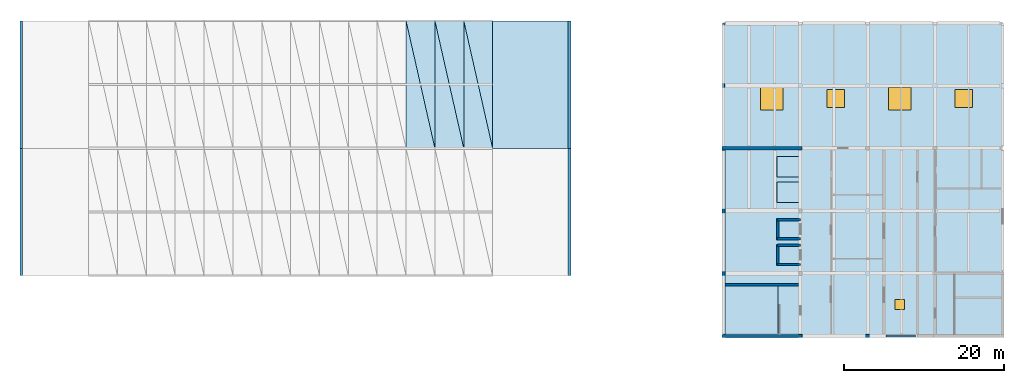
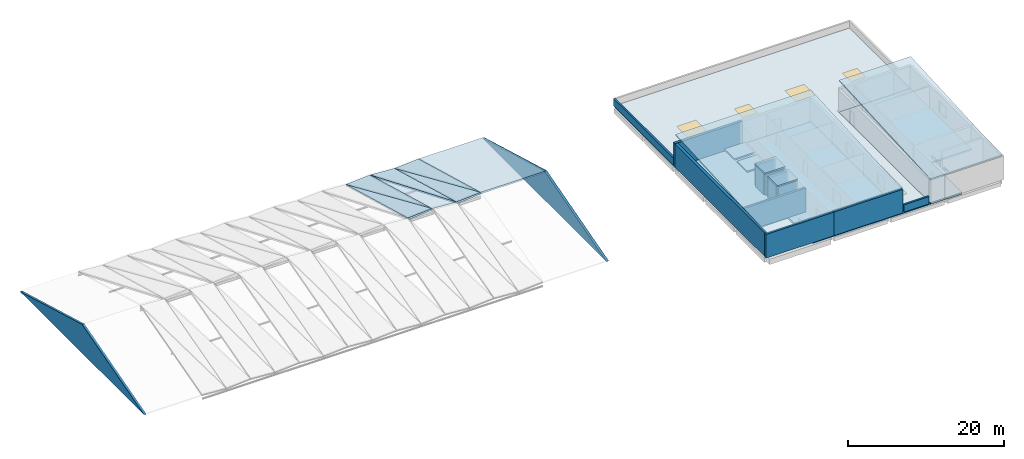
# One storey, part 3 of 6: 16 slabs, 15 walls, 4 windows, 1 door, 5 openings.
"""IFC4 building model written with IfcOpenShell, lengths in metres."""

from ifc_helpers import new_model, si_unit, direction, frame, frame_2d, origin, origin_2d, place, context, subcontext, project, spatial, polyline, rectangle, outline, extrude, material, layer, layer_set, type_object, element, fill, save


model = new_model("IFC4")

# Units and contexts
model_context = context("Model", 3, precision=1e-05, world=origin(), true_north=direction((0.0, 1.0)))
body_context = subcontext(model_context, "Body", "Model", "MODEL_VIEW")
ifc_project = project(units=[si_unit("LENGTHUNIT", "METRE"), si_unit("AREAUNIT", "SQUARE_METRE"), si_unit("VOLUMEUNIT", "CUBIC_METRE"), si_unit("PLANEANGLEUNIT", "RADIAN"), si_unit("MASSUNIT", "GRAM", prefix="KILO")], contexts=[model_context])

# Site, building, storey
site_placement = place(None, origin())
site = spatial("IfcSite", under=ifc_project, at=site_placement, CompositionType="ELEMENT")
building_placement = place(site_placement, origin())
building = spatial("IfcBuilding", under=site, at=building_placement, Name="Pellamere Symphony Hall", CompositionType="ELEMENT")
storey_placement = place(building_placement, frame((0.0, 0.0, 28.5)))
storey = spatial("IfcBuildingStorey", under=building, at=storey_placement, Name="RF", CompositionType="ELEMENT", Elevation=28.5)

# Slabs
ifc_material_1 = material(Name="Concrete 40 MPa", Category="concrete")
ifc_layer_1 = layer(ifc_material_1, 0.260009765625, Name="Concrete 40 MPa")
ifc_layer_set_1 = layer_set([ifc_layer_1], Name="Concrete 40 MPa")
slab_type_1 = type_object("IfcSlabType", Name="Structural Slab FS-04 260mm", PredefinedType="FLOOR", material=ifc_layer_set_1)
slab_1_placement = place(storey_placement, frame((0.0, 0.0, -0.260009765625)))
element("IfcSlab", 1, at=slab_1_placement, inside=storey, type_object=slab_type_1, Name="Floor Slab RF-HD1-1", PredefinedType="FLOOR", context=body_context, shape_type="SweptSolid", body=[
    extrude(outline(polyline([(138.0, 61.800048828125), (158.0, 61.800048828125), (158.0, 38.39990234375), (144.77490234375, 38.39990234375), (144.77490234375, 44.800048828125), (138.0, 44.800048828125), (138.0, 61.800048828125)]), holes=[polyline([(144.75, 47.300048828125), (147.60009765625, 47.300048828125), (147.60009765625, 49.699951171875), (144.75, 49.699951171875), (144.75, 47.300048828125)]), polyline([(144.75, 50.5), (147.60009765625, 50.5), (147.60009765625, 52.89990234375), (144.75, 52.89990234375), (144.75, 50.5)])]), origin(), (0.0, 0.0, 1.0), 0.260009765625),
])
slab_2_placement = place(storey_placement, frame((0.0, 0.0, -0.260009765625)))
element("IfcSlab", 2, at=slab_2_placement, inside=storey, type_object=slab_type_1, Name="Floor Slab RF-HD2-1", PredefinedType="FLOOR", context=body_context, shape_type="SweptSolid", body=[
    extrude(outline(polyline([(162.199951171875, 38.39990234375), (162.199951171875, 61.800048828125), (172.800048828125, 61.800048828125), (172.800048828125, 46.199951171875), (166.875, 46.199951171875), (166.875, 38.39990234375), (162.199951171875, 38.39990234375)])), origin(), (0.0, 0.0, 1.0), 0.260009765625),
])
ifc_material_2 = material(Name="Concrete 35 MPa", Category="concrete")
ifc_layer_2 = layer(ifc_material_2, 0.239990234375, Name="Concrete 35 MPa")
ifc_layer_set_2 = layer_set([ifc_layer_2], Name="Concrete 35 MPa")
slab_type_2 = type_object("IfcSlabType", Name="Structural Slab FS-05 240mm", PredefinedType="FLOOR", material=ifc_layer_set_2)
slab_3_placement = place(storey_placement, frame((0.0, 0.0, 3.260009765625)))
element("IfcSlab", 3, at=slab_3_placement, inside=storey, type_object=slab_type_2, Name="Elevator FFL1 Hoistway Overrun Cap Slab", PredefinedType="FLOOR", context=body_context, shape_type="SweptSolid", body=[
    extrude(outline(polyline([(144.6298828125, 47.179931640625), (147.719970703125, 47.179931640625), (147.719970703125, 49.820068359375), (144.6298828125, 49.820068359375), (144.6298828125, 47.179931640625)])), origin(), (0.0, 0.0, 1.0), 0.239990234375),
])
slab_4_placement = place(storey_placement, frame((0.0, 0.0, 3.260009765625)))
element("IfcSlab", 4, at=slab_4_placement, inside=storey, type_object=slab_type_2, Name="Elevator FFL2 Hoistway Overrun Cap Slab", PredefinedType="FLOOR", context=body_context, shape_type="SweptSolid", body=[
    extrude(outline(polyline([(144.6298828125, 50.3798828125), (147.719970703125, 50.3798828125), (147.719970703125, 53.02001953125), (144.6298828125, 53.02001953125), (144.6298828125, 50.3798828125)])), origin(), (0.0, 0.0, 1.0), 0.239990234375),
])
ifc_material_3 = material(Name="Precast concrete 40 MPa", Category="concrete")
ifc_layer_3 = layer(ifc_material_3, 0.239990234375, Name="Precast concrete 40 MPa")
ifc_layer_set_3 = layer_set([ifc_layer_3], Name="Precast concrete 40 MPa")
slab_type_3 = type_object("IfcSlabType", Name="Structural Slab RS-01 240mm", PredefinedType="ROOF", material=ifc_layer_set_3)
slab_5_placement = place(storey_placement, frame((98.39990234375, 61.800048828125, 5.760009765625), z_axis=(-0.064135768117, 0.26504111716, 0.962101766687), x_axis=(0.997785457248, 0.0, 0.066514519495)))
element("IfcSlab", 5, at=slab_5_placement, inside=storey, type_object=slab_type_3, Name="Crown Folded-Plate Ridge Roof Bay 6 Facet 11", PredefinedType="ROOF", context=body_context, shape_type="SweptSolid", body=[
    extrude(outline(polyline([(0.0, 0.0), (3.608087921203156, 0.0), (-0.29134203961476457, 16.489618748844133), (0.0, 0.0)])), origin(), (0.0, 0.0, -1.0), 0.239990234375),
])
slab_6_placement = place(storey_placement, frame((102.0, 61.800048828125, 6.0), z_axis=(-0.064200995629, 0.265026272319, 0.962101505633), x_axis=(0.0, 0.964090435702, -0.265574154969)))
element("IfcSlab", 6, at=slab_6_placement, inside=storey, type_object=slab_type_3, Name="Crown Folded-Plate Ridge Roof Bay 6 Facet 12", PredefinedType="ROOF", context=body_context, shape_type="SweptSolid", body=[
    extrude(outline(polyline([(0.0, 0.0), (16.492127455001665, -5.551115123125783e-17), (16.55592749613675, 3.60754005441652), (0.0, 0.0)])), origin(), (0.0, 0.0, -1.0), 0.239990234375),
])
slab_7_placement = place(storey_placement, frame((102.0, 61.800048828125, 6.0), z_axis=(0.064136019231, 0.265027381901, 0.96210553365), x_axis=(0.997785457248, 0.0, -0.066514519495)))
element("IfcSlab", 7, at=slab_7_placement, inside=storey, type_object=slab_type_3, Name="Crown Folded-Plate Ridge Roof Bay 7 Facet 9", PredefinedType="ROOF", context=body_context, shape_type="SweptSolid", body=[
    extrude(outline(polyline([(0.0, 0.0), (3.608087921203156, 0.0), (0.29132580071840347, 16.48955418651018), (0.0, 0.0)])), origin(), (0.0, 0.0, -1.0), 0.239990234375),
])
slab_8_placement = place(storey_placement, frame((105.60009765625, 61.800048828125, 5.760009765625), z_axis=(0.064200744263, 0.265040007529, 0.962097738717), x_axis=(0.0, 0.964086645377, -0.265587914269)))
element("IfcSlab", 8, at=slab_8_placement, inside=storey, type_object=slab_type_3, Name="Crown Folded-Plate Ridge Roof Bay 7 Facet 10", PredefinedType="ROOF", context=body_context, shape_type="SweptSolid", body=[
    extrude(outline(polyline([(0.0, 0.0), (16.49219229412145, 5.551115123125783e-17), (16.428388947529395, 3.6075399959573615), (0.0, 0.0)])), origin(), (0.0, 0.0, -1.0), 0.239990234375),
])
slab_9_placement = place(storey_placement, frame((105.60009765625, 61.800048828125, 5.760009765625), z_axis=(-0.064140099885, 0.265041043219, 0.962101498282), x_axis=(0.997785157857, 0.0, 0.066519010524)))
element("IfcSlab", 9, at=slab_9_placement, inside=storey, type_object=slab_type_3, Name="Crown Folded-Plate Ridge Roof Bay 7 Facet 11", PredefinedType="ROOF", context=body_context, shape_type="SweptSolid", body=[
    extrude(outline(polyline([(0.0, 0.0), (3.6078443212745532, 0.0), (-0.2913617108903877, 16.48961840127618), (0.0, 0.0)])), origin(), (0.0, 0.0, -1.0), 0.239990234375),
])
slab_10_placement = place(storey_placement, frame((109.199951171875, 61.800048828125, 6.0), z_axis=(-0.064205331766, 0.265026198232, 0.962101236681), x_axis=(0.0, 0.964090435702, -0.265574154969)))
element("IfcSlab", 10, at=slab_10_placement, inside=storey, type_object=slab_type_3, Name="Crown Folded-Plate Ridge Roof Bay 7 Facet 12", PredefinedType="ROOF", context=body_context, shape_type="SweptSolid", body=[
    extrude(outline(polyline([(0.0, 0.0), (16.492127455001665, -5.551115123125783e-17), (16.55592749613675, 3.6072964174905944), (0.0, 0.0)])), origin(), (0.0, 0.0, -1.0), 0.239990234375),
])
ifc_layer_4 = layer(ifc_material_3, 0.219970703125, Name="Precast concrete 40 MPa")
ifc_layer_set_4 = layer_set([ifc_layer_4], Name="Precast concrete 40 MPa")
slab_type_4 = type_object("IfcSlabType", Name="Structural Slab RS-02 220mm", PredefinedType="ROOF", material=ifc_layer_set_4)
slab_11_placement = place(storey_placement, frame((109.199951171875, 61.800048828125, 6.0), z_axis=(0.0, 0.265574154969, 0.964090435702), x_axis=(1.0, 0.0, 0.0)))
element("IfcSlab", 11, at=slab_11_placement, inside=storey, type_object=slab_type_4, Name="Crown Crystal Foyer Sloped Roof E-NU", PredefinedType="ROOF", context=body_context, shape_type="SweptSolid", body=[
    extrude(outline(polyline([(0.0, 0.0), (9.60009765625, 0.0), (9.60009765625, 16.492127455001665), (0.0, 16.492127455001665), (0.0, 0.0)])), origin(), (0.0, 0.0, -1.0), 0.219970703125),
])
ifc_layer_5 = layer(ifc_material_3, 0.199951171875, Name="Precast concrete 40 MPa")
ifc_layer_set_5 = layer_set([ifc_layer_5], Name="Precast concrete 40 MPa")
slab_type_5 = type_object("IfcSlabType", Name="Structural Slab RS-03 200mm", PredefinedType="ROOF", material=ifc_layer_set_5)
slab_12_placement = place(storey_placement, frame((138.0, 38.39990234375, 3.699951171875), z_axis=(0.0, -0.055471750485, 0.998460257045), x_axis=(1.0, 0.0, 0.0)))
element("IfcSlab", 12, at=slab_12_placement, inside=storey, type_object=slab_type_5, Name="Rooftop Stair Headhouse Sloped Roof 1", PredefinedType="ROOF", context=body_context, shape_type="SweptSolid", body=[
    extrude(outline(polyline([(0.0, 0.0), (20.0, 0.0), (20.0, 23.436232257889), (0.0, 23.436232257889), (0.0, 0.0)])), origin(), (0.0, 0.0, -1.0), 0.199951171875),
])
slab_13_placement = place(storey_placement, frame((162.199951171875, 38.39990234375, 3.699951171875), z_axis=(0.0, -0.055471750485, 0.998460257045), x_axis=(1.0, 0.0, 0.0)))
element("IfcSlab", 13, at=slab_13_placement, inside=storey, type_object=slab_type_5, Name="Rooftop Stair Headhouse Sloped Roof 2", PredefinedType="ROOF", context=body_context, shape_type="SweptSolid", body=[
    extrude(outline(polyline([(0.0, 0.0), (10.60009765625, 0.0), (10.60009765625, 23.436232257889), (0.0, 23.436232257889), (0.0, 0.0)])), origin(), (0.0, 0.0, -1.0), 0.199951171875),
])
slab_14_placement = place(storey_placement, frame((0.0, 0.0, 0.800048828125)))
element("IfcSlab", 14, at=slab_14_placement, inside=storey, type_object=slab_type_5, Name="Elevator PL3 Hoistway Overrun Cap Slab", PredefinedType="ROOF", context=body_context, shape_type="SweptSolid", body=[
    extrude(outline(polyline([(144.679931640625, 55.0048828125), (147.719970703125, 55.0048828125), (147.719970703125, 57.594970703125), (144.679931640625, 57.594970703125), (144.679931640625, 55.0048828125)])), origin(), (0.0, 0.0, 1.0), 0.199951171875),
])
slab_15_placement = place(storey_placement, frame((0.0, 0.0, 0.800048828125)))
element("IfcSlab", 15, at=slab_15_placement, inside=storey, type_object=slab_type_5, Name="Elevator PL4 Hoistway Overrun Cap Slab", PredefinedType="ROOF", context=body_context, shape_type="SweptSolid", body=[
    extrude(outline(polyline([(144.679931640625, 58.205078125), (147.719970703125, 58.205078125), (147.719970703125, 60.794921875), (144.679931640625, 60.794921875), (144.679931640625, 58.205078125)])), origin(), (0.0, 0.0, 1.0), 0.199951171875),
])

# Slab, openings, door, windows
ifc_layer_6 = layer(ifc_material_1, 0.260009765625, Name="Concrete 40 MPa")
ifc_layer_set_6 = layer_set([ifc_layer_6], Name="Concrete 40 MPa")
slab_type_6 = type_object("IfcSlabType", Name="Structural Slab RS-04 260mm", PredefinedType="ROOF", material=ifc_layer_set_6)
slab_16_placement = place(storey_placement, frame((0.0, 0.0, -0.260009765625)))
slab_16 = element("IfcSlab", 16, at=slab_16_placement, inside=storey, type_object=slab_type_6, Name="Artists Wing Main Roof Slab", PredefinedType="ROOF", context=body_context, shape_type="SweptSolid", body=[
    extrude(outline(polyline([(138.0, 77.39990234375), (172.800048828125, 77.39990234375), (172.800048828125, 61.800048828125), (162.199951171875, 61.800048828125), (162.199951171875, 38.39990234375), (158.0, 38.39990234375), (158.0, 61.800048828125), (138.0, 61.800048828125), (138.0, 77.39990234375)])), origin(), (0.0, 0.0, 1.0), 0.260009765625),
])
opening_1_placement = place(slab_16_placement, frame((144.0, 68.0, 0.0)))
opening_1 = element("IfcOpeningElement", 17, at=opening_1_placement, cuts=slab_16, Name="Opening SK-01", PredefinedType="OPENING", context=body_context, shape_type="SweptSolid", body=[
    extrude(rectangle(XDim=2.800048828125, YDim=2.800048828125, at=origin_2d()), frame((0.0, 0.0, -0.010009765625)), (0.0, 0.0, 1.0), 0.280029296875),
])
opening_2_placement = place(slab_16_placement, frame((152.0, 68.0, 0.0)))
opening_2 = element("IfcOpeningElement", 18, at=opening_2_placement, cuts=slab_16, Name="Opening SK-02", PredefinedType="OPENING", context=body_context, shape_type="SweptSolid", body=[
    extrude(rectangle(XDim=2.199951171875, YDim=2.199951171875, at=origin_2d()), frame((0.0, 0.0, -0.010009765625)), (0.0, 0.0, 1.0), 0.280029296875),
])
opening_3_placement = place(slab_16_placement, frame((160.0, 68.0, 0.0)))
opening_3 = element("IfcOpeningElement", 19, at=opening_3_placement, cuts=slab_16, Name="Opening SK-03", PredefinedType="OPENING", context=body_context, shape_type="SweptSolid", body=[
    extrude(rectangle(XDim=2.800048828125, YDim=2.800048828125, at=origin_2d()), frame((0.0, 0.0, -0.010009765625)), (0.0, 0.0, 1.0), 0.280029296875),
])
opening_4_placement = place(slab_16_placement, frame((168.0, 68.0, 0.0)))
opening_4 = element("IfcOpeningElement", 20, at=opening_4_placement, cuts=slab_16, Name="Opening SK-04", PredefinedType="OPENING", context=body_context, shape_type="SweptSolid", body=[
    extrude(rectangle(XDim=2.199951171875, YDim=2.199951171875, at=origin_2d()), frame((0.0, 0.0, -0.010009765625)), (0.0, 0.0, 1.0), 0.280029296875),
])
opening_5_placement = place(slab_16_placement, frame((160.0, 42.300048828125, 0.0)))
opening_5 = element("IfcOpeningElement", 21, at=opening_5_placement, cuts=slab_16, Name="Opening RH-01", PredefinedType="OPENING", context=body_context, shape_type="SweptSolid", body=[
    extrude(rectangle(XDim=1.199951171875, YDim=1.199951171875, at=origin_2d()), frame((0.0, 0.0, -0.010009765625)), (0.0, 0.0, 1.0), 0.280029296875),
])
ifc_material_4 = material(Name="Thermally Broken Bronze-Anodised Aluminium Acoustic Door", Category="aluminium")
door_type = type_object("IfcDoorType", Name="Exterior Trapdoor ED-08 1200x1200", OperationType="NOTDEFINED", PredefinedType="TRAPDOOR", material=ifc_material_4)
door_placement = place(opening_5_placement, frame((0.0, 0.0, 0.2099609375)))
door = element("IfcDoor", 22, at=door_placement, inside=storey, type_object=door_type, Name="Main Roof Maintenance Access Hatch", OperationType="SINGLE_SWING_LEFT", OverallHeight=1.199951171875, OverallWidth=1.199951171875, PredefinedType="TRAPDOOR", context=body_context, shape_type="SweptSolid", body=[
    extrude(rectangle(XDim=1.199951171875, YDim=1.199951171875, at=origin_2d()), origin(), (0.0, 0.0, 1.0), 0.050048828125),
])
fill(opening_5, door)
ifc_material_5 = material(Name="Thermally Broken Aluminium Triple-Glazed Acoustic Window", Category="aluminium")
window_type_1 = type_object("IfcWindowType", Name="Window WN-10 2800x2800", PartitioningType="SINGLE_PANEL", PredefinedType="SKYLIGHT", material=ifc_material_5)
window_1_placement = place(opening_1_placement, frame((0.0, 0.0, 0.2099609375)))
window_1 = element("IfcWindow", 23, at=window_1_placement, inside=storey, type_object=window_type_1, Name="Artists Wing Studio Skylight 01", OverallHeight=2.800048828125, OverallWidth=2.800048828125, PartitioningType="SINGLE_PANEL", PredefinedType="SKYLIGHT", context=body_context, shape_type="SweptSolid", body=[
    extrude(rectangle(XDim=2.800048828125, YDim=2.800048828125, at=origin_2d()), origin(), (0.0, 0.0, 1.0), 0.050048828125),
])
fill(opening_1, window_1)
window_2_placement = place(opening_3_placement, frame((0.0, 0.0, 0.2099609375)))
window_2 = element("IfcWindow", 24, at=window_2_placement, inside=storey, type_object=window_type_1, Name="Artists Wing Studio Skylight 03", OverallHeight=2.800048828125, OverallWidth=2.800048828125, PartitioningType="SINGLE_PANEL", PredefinedType="SKYLIGHT", context=body_context, shape_type="SweptSolid", body=[
    extrude(rectangle(XDim=2.800048828125, YDim=2.800048828125, at=origin_2d()), origin(), (0.0, 0.0, 1.0), 0.050048828125),
])
fill(opening_3, window_2)
window_type_2 = type_object("IfcWindowType", Name="Window WN-11 2200x2200", PartitioningType="SINGLE_PANEL", PredefinedType="SKYLIGHT", material=ifc_material_5)
window_3_placement = place(opening_2_placement, frame((0.0, 0.0, 0.2099609375)))
window_3 = element("IfcWindow", 25, at=window_3_placement, inside=storey, type_object=window_type_2, Name="Artists Wing Studio Skylight 02", OverallHeight=2.199951171875, OverallWidth=2.199951171875, PartitioningType="SINGLE_PANEL", PredefinedType="SKYLIGHT", context=body_context, shape_type="SweptSolid", body=[
    extrude(rectangle(XDim=2.199951171875, YDim=2.199951171875, at=origin_2d()), origin(), (0.0, 0.0, 1.0), 0.050048828125),
])
fill(opening_2, window_3)
window_4_placement = place(opening_4_placement, frame((0.0, 0.0, 0.2099609375)))
window_4 = element("IfcWindow", 26, at=window_4_placement, inside=storey, type_object=window_type_2, Name="Artists Wing Studio Skylight 04", OverallHeight=2.199951171875, OverallWidth=2.199951171875, PartitioningType="SINGLE_PANEL", PredefinedType="SKYLIGHT", context=body_context, shape_type="SweptSolid", body=[
    extrude(rectangle(XDim=2.199951171875, YDim=2.199951171875, at=origin_2d()), origin(), (0.0, 0.0, 1.0), 0.050048828125),
])
fill(opening_4, window_4)

# Walls
ifc_layer_7 = layer(ifc_material_3, 0.260009765625, Name="Precast concrete 40 MPa")
ifc_layer_set_7 = layer_set([ifc_layer_7], Name="Precast concrete 40 MPa")
wall_type_1 = type_object("IfcWallType", Name="Exterior Wall EW-05 260mm", PredefinedType="PARAPET", material=ifc_layer_set_7)
wall_1_placement = place(storey_placement, frame((158.25, 38.39990234375, 0.0), z_axis=(0.0, 0.0, 1.0), x_axis=(1.0, 0.0, 0.0)))
element("IfcWall", 27, at=wall_1_placement, inside=storey, type_object=wall_type_1, Name="Maintenance Roof Parapet 01 (RF)", PredefinedType="PARAPET", context=body_context, shape_type="SweptSolid", body=[
    extrude(rectangle(XDim=3.699951171875, YDim=0.260009765625, at=frame_2d((1.85009765625, 0.0))), origin(), (0.0, 0.0, 1.0), 1.14990234375),
])
wall_2_placement = place(storey_placement, frame((138.0, 77.39990234375, 0.0), z_axis=(0.0, 0.0, 1.0), x_axis=(0.0, -1.0, 0.0)))
element("IfcWall", 28, at=wall_2_placement, inside=storey, type_object=wall_type_1, Name="Maintenance Roof Parapet 04 (RF)", PredefinedType="PARAPET", context=body_context, shape_type="SweptSolid", body=[
    extrude(rectangle(XDim=15.349853515625, YDim=0.260009765625, at=frame_2d((7.6748046875, 0.0))), origin(), (0.0, 0.0, 1.0), 1.14990234375),
])
ifc_layer_8 = layer(ifc_material_1, 0.300048828125, Name="Concrete 40 MPa")
ifc_layer_set_8 = layer_set([ifc_layer_8], Name="Concrete 40 MPa")
wall_type_2 = type_object("IfcWallType", Name="Structural Wall SW-04 300mm", PredefinedType="SHEAR", material=ifc_layer_set_8)
for number, where, z_axis, x_axis, name in (
    (29, (144.75, 47.300048828125, 0.0), (0.0, 0.0, 1.0), (1.0, 0.0, 0.0), "Elevator FFL1 Hoistway Wall S (RF)"),
    (30, (144.75, 49.699951171875, 0.0), (0.0, 0.0, 1.0), (1.0, 0.0, 0.0), "Elevator FFL1 Hoistway Wall N (RF)"),
):
    element("IfcWall", number, at=place(storey_placement, frame(where, z_axis=z_axis, x_axis=x_axis)), inside=storey, type_object=wall_type_2, Name=name, PredefinedType="SHEAR", context=body_context, shape_type="SweptSolid", body=[
        extrude(rectangle(XDim=2.85009765625, YDim=0.300048828125, at=frame_2d((1.425048828125, 0.0))), origin(), (0.0, 0.0, 1.0), 3.260009765625),
    ])
wall_3_placement = place(storey_placement, frame((144.75, 47.449951171875, 0.0), z_axis=(0.0, 0.0, 1.0), x_axis=(0.0, 1.0, 0.0)))
element("IfcWall", 31, at=wall_3_placement, inside=storey, type_object=wall_type_2, Name="Elevator FFL1 Hoistway Wall W (RF)", PredefinedType="SHEAR", context=body_context, shape_type="SweptSolid", body=[
    extrude(rectangle(XDim=2.10009765625, YDim=0.300048828125, at=frame_2d((1.050048828125, 0.0))), origin(), (0.0, 0.0, 1.0), 3.260009765625),
])
for number, where, z_axis, x_axis, name in (
    (32, (144.75, 50.5, 0.0), (0.0, 0.0, 1.0), (1.0, 0.0, 0.0), "Elevator FFL2 Hoistway Wall S (RF)"),
    (33, (144.75, 52.89990234375, 0.0), (0.0, 0.0, 1.0), (1.0, 0.0, 0.0), "Elevator FFL2 Hoistway Wall N (RF)"),
):
    element("IfcWall", number, at=place(storey_placement, frame(where, z_axis=z_axis, x_axis=x_axis)), inside=storey, type_object=wall_type_2, Name=name, PredefinedType="SHEAR", context=body_context, shape_type="SweptSolid", body=[
        extrude(rectangle(XDim=2.85009765625, YDim=0.300048828125, at=frame_2d((1.425048828125, 0.0))), origin(), (0.0, 0.0, 1.0), 3.260009765625),
    ])
wall_4_placement = place(storey_placement, frame((144.75, 50.64990234375, 0.0), z_axis=(0.0, 0.0, 1.0), x_axis=(0.0, 1.0, 0.0)))
element("IfcWall", 34, at=wall_4_placement, inside=storey, type_object=wall_type_2, Name="Elevator FFL2 Hoistway Wall W (RF)", PredefinedType="SHEAR", context=body_context, shape_type="SweptSolid", body=[
    extrude(rectangle(XDim=2.10009765625, YDim=0.300048828125, at=frame_2d((1.050048828125, 0.0))), origin(), (0.0, 0.0, 1.0), 3.260009765625),
])
ifc_layer_9 = layer(ifc_material_1, 0.3798828125, Name="Concrete 40 MPa")
ifc_layer_set_9 = layer_set([ifc_layer_9], Name="Concrete 40 MPa")
wall_type_3 = type_object("IfcWallType", Name="Structural Wall SW-07 380mm", PredefinedType="SHEAR", material=ifc_layer_set_9)
for number, where, z_axis, x_axis, name in (
    (35, (137.800048828125, 38.39990234375, 0.0), (0.0, 0.0, 1.0), (1.0, 0.0, 0.0), "Core Shear Wall C2 S (RF)"),
    (36, (137.800048828125, 61.800048828125, 0.0), (0.0, 0.0, 1.0), (1.0, 0.0, 0.0), "Core Shear Wall C2 N (RF)"),
):
    element("IfcWall", number, at=place(storey_placement, frame(where, z_axis=z_axis, x_axis=x_axis)), inside=storey, type_object=wall_type_3, Name=name, PredefinedType="SHEAR", context=body_context, shape_type="SweptSolid", body=[
        extrude(rectangle(XDim=10.0, YDim=0.3798828125, at=frame_2d((5.0, 0.0))), origin(), (0.0, 0.0, 1.0), 3.699951171875),
    ])
wall_5_placement = place(storey_placement, frame((138.0, 38.60009765625, 0.0), z_axis=(0.0, 0.0, 1.0), x_axis=(0.0, 1.0, 0.0)))
element("IfcWall", 37, at=wall_5_placement, inside=storey, type_object=wall_type_3, Name="Core Shear Wall C2 W (RF)", PredefinedType="SHEAR", context=body_context, shape_type="SweptSolid", body=[
    extrude(rectangle(XDim=23.0, YDim=0.3798828125, at=frame_2d((11.5, 0.0))), origin(), (0.0, 0.0, 1.0), 3.699951171875),
])
wall_6_placement = place(storey_placement, frame((147.800048828125, 38.39990234375, 0.0), z_axis=(0.0, 0.0, 1.0), x_axis=(1.0, 0.0, 0.0)))
element("IfcWall", 38, at=wall_6_placement, inside=storey, type_object=wall_type_3, Name="Rooftop Observatory Enclosure Wall HD1-1", PredefinedType="SHEAR", context=body_context, shape_type="SweptSolid", body=[
    extrude(rectangle(XDim=10.199951171875, YDim=0.3798828125, at=frame_2d((5.10009765625, 0.0))), origin(), (0.0, 0.0, 1.0), 3.699951171875),
])
ifc_layer_10 = layer(ifc_material_1, 0.31005859375, Name="Concrete 40 MPa")
ifc_layer_set_10 = layer_set([ifc_layer_10], Name="Concrete 40 MPa")
wall_type_4 = type_object("IfcWallType", Name="Structural Wall SW-08 310mm", PredefinedType="SHEAR", material=ifc_layer_set_10)
wall_7_placement = place(storey_placement, frame((138.219970703125, 44.800048828125, 0.0), z_axis=(0.0, 0.0, 1.0), x_axis=(1.0, 0.0, 0.0)))
element("IfcWall", 39, at=wall_7_placement, inside=storey, type_object=wall_type_4, Name="Core Stair Divider Wall C2 (RF)", PredefinedType="SHEAR", context=body_context, shape_type="SweptSolid", body=[
    extrude(rectangle(XDim=9.159912109375, YDim=0.31005859375, at=frame_2d((4.580078125, 0.0))), origin(), (0.0, 0.0, 1.0), 3.699951171875),
])
ifc_layer_11 = layer(ifc_material_3, 0.330078125, Name="Precast concrete 40 MPa")
ifc_layer_set_11 = layer_set([ifc_layer_11], Name="Precast concrete 40 MPa")
wall_type_5 = type_object("IfcWallType", Name="Structural Wall SW-09 330mm", PredefinedType="SOLIDWALL", material=ifc_layer_set_11)
for number, where, z_axis, x_axis, name in (
    (40, (50.39990234375, 45.89990234375, 1.5), (0.0, 0.0, 1.0), (0.0, 1.0, 0.0), "Crown Crystal Ridge Gable Wall W"),
    (41, (118.800048828125, 45.89990234375, 1.5), (0.0, 0.0, 1.0), (0.0, 1.0, 0.0), "Crown Crystal Ridge Gable Wall E"),
):
    element("IfcWall", number, at=place(storey_placement, frame(where, z_axis=z_axis, x_axis=x_axis)), inside=storey, type_object=wall_type_5, Name=name, PredefinedType="SOLIDWALL", context=body_context, shape_type="SweptSolid", body=[
        extrude(outline(polyline([(0.0, 0.0), (31.800048828125, 0.0), (31.800048828125, 0.0), (15.89990234375, 4.5), (0.0, 0.0), (0.0, 0.0)])), frame((0.0, 0.1650390625, 0.0), z_axis=(0.0, -1.0, 0.0), x_axis=(1.0, 0.0, 0.0)), (0.0, 0.0, 1.0), 0.330078125),
    ])

save(model, "model.ifc")
